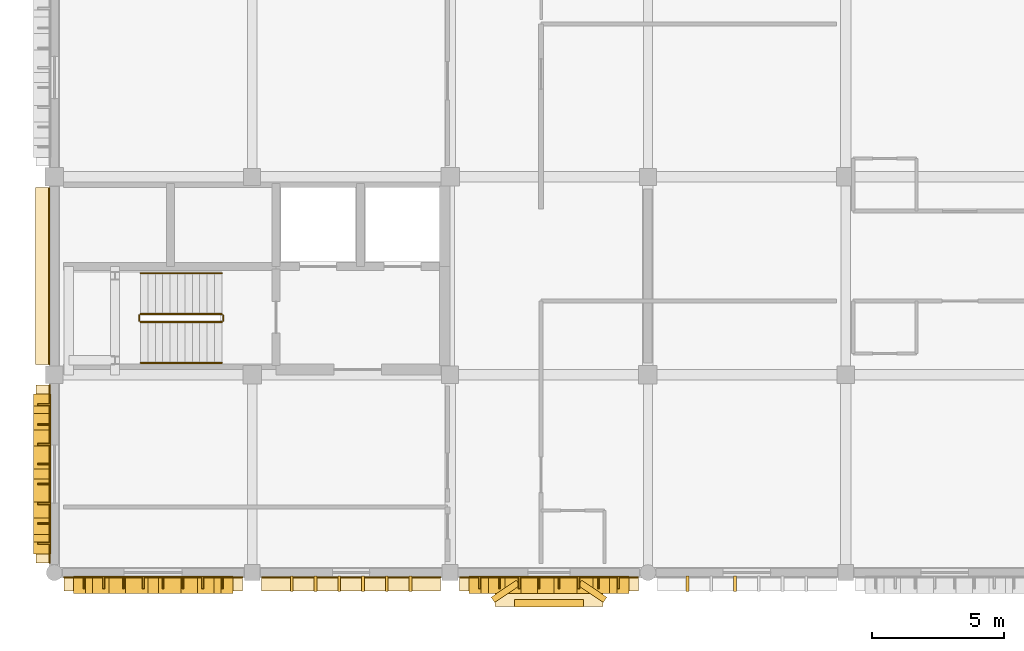
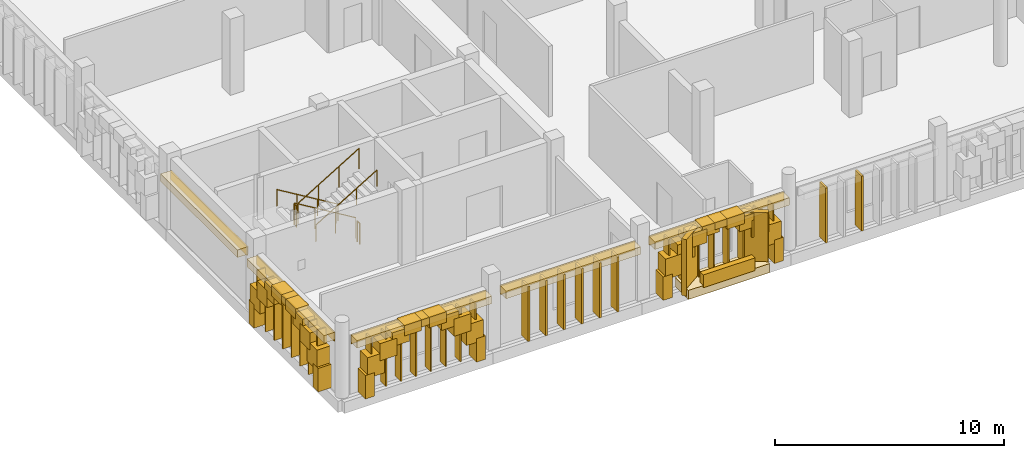
# One storey, part 30 of 48: 55 coverings, 24 shading devices, 6 railings.
"""IFC4 building model written with IfcOpenShell, lengths in metres."""

import ifcopenshell
import ifcopenshell.guid

model = None  # the IFC model being written
_history = None  # IfcOwnerHistory: only IFC2X3 demands one
_inside = {}  # id of a spatial element -> (the spatial element, [elements in it])
_under = {}  # id of a project, library or spatial element -> (it, [spatial elements below it])
_declared = {}  # id of a project -> (the project, [libraries it declares])
_typed = {}  # id of a type object -> (the type object, [elements of that type])
_made_of = {}  # id of a material, layer set ... -> (it, [elements and type objects made of it])


def new_model(schema):
    """Start an empty IFC model of exactly this schema.

    Asked for "IFC4X3", IfcOpenShell would pick the latest addendum, in which some entities
    have other attributes; the version numbers below select the first issue.
    IFC2X3 requires an IfcOwnerHistory on every rooted entity: one is made here for all.
    """
    global model, _history
    if schema == "IFC4X3":
        model = ifcopenshell.file(schema_version=(4, 3, 0, 0))
    else:
        model = ifcopenshell.file(schema=schema)
    _inside.clear()
    _under.clear()
    _declared.clear()
    _typed.clear()
    _made_of.clear()
    _history = None
    if model.schema == "IFC2X3":
        org = make("IfcOrganization", Name="unknown")
        user = make(
            "IfcPersonAndOrganization",
            ThePerson=make("IfcPerson", FamilyName="unknown"),
            TheOrganization=org,
        )
        app = make(
            "IfcApplication",
            ApplicationDeveloper=org,
            Version="unknown",
            ApplicationFullName="unknown",
            ApplicationIdentifier="unknown",
        )
        _history = make(
            "IfcOwnerHistory",
            OwningUser=user,
            OwningApplication=app,
            ChangeAction="ADDED",
            CreationDate=0,
        )
    return model


def make(cls, **values):
    """One entity of the class cls with the attributes given. An attribute that is None is left unset."""
    return model.create_entity(
        cls, **{name: value for name, value in values.items() if value is not None}
    )


def rooted(cls, **values):
    """An entity with a GlobalId (a new one), such as an element, a storey or a relation."""
    return make(cls, GlobalId=ifcopenshell.guid.new(), OwnerHistory=_history, **values)


def si_unit(unit_type, name, prefix=None):
    """IfcSIUnit, for example si_unit("LENGTHUNIT", "METRE", prefix="MILLI")."""
    return make("IfcSIUnit", UnitType=unit_type, Prefix=prefix, Name=name)


def assignment(units):
    """IfcUnitAssignment: the units of a project."""
    return None if units is None else make("IfcUnitAssignment", Units=units)


def point(xyz):
    """IfcCartesianPoint."""
    return None if xyz is None else make("IfcCartesianPoint", Coordinates=xyz)


def direction(xyz):
    """IfcDirection."""
    return None if xyz is None else make("IfcDirection", DirectionRatios=xyz)


def frame(location, z_axis=None, x_axis=None):
    """IfcAxis2Placement3D, a coordinate frame: its origin and axes. An axis left out is left unset."""
    return make(
        "IfcAxis2Placement3D",
        Location=point(location),
        Axis=direction(z_axis),
        RefDirection=direction(x_axis),
    )


def frame_2d(location, x_axis=None):
    """IfcAxis2Placement2D, a coordinate frame in the plane: its origin and x axis."""
    return make(
        "IfcAxis2Placement2D", Location=point(location), RefDirection=direction(x_axis)
    )


def origin():
    """The frame at (0, 0, 0) with its axes left unset."""
    return frame((0.0, 0.0, 0.0))


def origin_2d():
    """The frame at (0, 0) in the plane with its x axis left unset."""
    return frame_2d((0.0, 0.0))


def place(relative_to, where):
    """IfcLocalPlacement: puts the frame where relative to a parent placement (None: the world)."""
    return make(
        "IfcLocalPlacement", PlacementRelTo=relative_to, RelativePlacement=where
    )


def context(
    kind, dimensions, precision=None, world=None, true_north=None, identifier=None
):
    """IfcGeometricRepresentationContext, for example the 3D "Model" context."""
    return make(
        "IfcGeometricRepresentationContext",
        ContextIdentifier=identifier,
        ContextType=kind,
        CoordinateSpaceDimension=dimensions,
        Precision=precision,
        WorldCoordinateSystem=world,
        TrueNorth=true_north,
    )


def subcontext(parent, identifier, kind, view, scale=None):
    """IfcGeometricRepresentationSubContext, for example "Body" below "Model"."""
    return make(
        "IfcGeometricRepresentationSubContext",
        ContextIdentifier=identifier,
        ContextType=kind,
        ParentContext=parent,
        TargetScale=scale,
        TargetView=view,
    )


def project(units=None, contexts=None):
    """IfcProject with its units and contexts."""
    return rooted(
        "IfcProject",
        Name="project",
        RepresentationContexts=contexts,
        UnitsInContext=assignment(units),
    )


def spatial(cls, under=None, at=None, **own):
    """A site, building, storey or space (cls), placed at a placement, below another one or the project."""
    s = rooted(cls, ObjectPlacement=at, **own)
    if under is not None:
        _under.setdefault(under.id(), (under, []))[1].append(s)
    return s


def profile(cls, at=None, kind="AREA", **sizes):
    """A parametric profile (cls). Its sizes go by their IFC names, for example OverallWidth=200.0."""
    return make(cls, ProfileType=kind, Position=at, **sizes)


def rectangle(**sizes):
    """IfcRectangleProfileDef."""
    return profile("IfcRectangleProfileDef", **sizes)


def circle(**sizes):
    """IfcCircleProfileDef."""
    return profile("IfcCircleProfileDef", **sizes)


def extrude(swept, where, along, depth):
    """IfcExtrudedAreaSolid: the profile swept, set in the frame where, extruded along a direction by depth."""
    return make(
        "IfcExtrudedAreaSolid",
        SweptArea=swept,
        Position=where,
        ExtrudedDirection=direction(along),
        Depth=depth,
    )


def shape(context_of_items, identifier, shape_type, items):
    """IfcShapeRepresentation: the items that make up one representation, for example the "Body"."""
    return make(
        "IfcShapeRepresentation",
        ContextOfItems=context_of_items,
        RepresentationIdentifier=identifier,
        RepresentationType=shape_type,
        Items=items,
    )


def material(Name=None, Category=None):
    """IfcMaterial."""
    return make("IfcMaterial", Name=Name, Category=Category)


def layer(
    of_material, thickness, ventilated=None, Name=None, Category=None, Priority=None
):
    """IfcMaterialLayer: one layer of a wall or slab, of a material (None: an air gap)."""
    return make(
        "IfcMaterialLayer",
        Material=of_material,
        LayerThickness=thickness,
        IsVentilated=ventilated,
        Name=Name,
        Category=Category,
        Priority=Priority,
    )


def layer_set(layers, Name=None):
    """IfcMaterialLayerSet."""
    return make("IfcMaterialLayerSet", MaterialLayers=layers, LayerSetName=Name)


def made_of(thing, what):
    """Note that an element or type object is made of a material, layer set ...; save() writes the relation."""
    if what is not None:
        _made_of.setdefault(what.id(), (what, []))[1].append(thing)
    return thing


def type_object(cls, material=None, **own):
    """A type object (cls), such as IfcWallType, which elements share."""
    return made_of(rooted(cls, **own), material)


def element(
    cls,
    number,
    at=None,
    inside=None,
    cuts=None,
    type_object=None,
    material=None,
    context=None,
    identifier="Body",
    shape_type=None,
    held_by="IfcProductDefinitionShape",
    body=None,
    shapes=None,
    **own,
):
    """One element of the class cls, such as IfcWall. Its Tag is "e" and its number.

    at: its placement. inside: the storey or other place that contains it. cuts: it is an
    opening in that element (IfcRelVoidsElement). A single representation is given by context,
    identifier, shape_type and body (its items); several are given by shapes. held_by: the class
    of the entity that holds the representations. save() writes the other relations.
    """
    e = rooted(cls, Tag="e%d" % number, ObjectPlacement=at, **own)
    if body is not None:
        shapes = [shape(context, identifier, shape_type, body)]
    if shapes is not None:
        e.Representation = make(held_by, Representations=shapes)
    if inside is not None:
        _inside.setdefault(inside.id(), (inside, []))[1].append(e)
    if cuts is not None:
        rooted(
            "IfcRelVoidsElement", RelatingBuildingElement=cuts, RelatedOpeningElement=e
        )
    if type_object is not None:
        _typed.setdefault(type_object.id(), (type_object, []))[1].append(e)
    return made_of(e, material)


def aggregate(whole, parts):
    """IfcRelAggregates: a whole, such as a stair, and the parts it consists of."""
    return rooted("IfcRelAggregates", RelatingObject=whole, RelatedObjects=parts)


def save(model, path):
    """Write the relations noted so far, then the file.

    IfcRelAggregates (storeys below a building ...), IfcRelContainedInSpatialStructure (elements
    in a storey), IfcRelDefinesByType, IfcRelAssociatesMaterial and IfcRelDeclares: one each for
    every whole, place, type object, material and project.
    """
    for whole, parts in _under.values():
        aggregate(whole, parts)
    for where, things in _inside.values():
        rooted(
            "IfcRelContainedInSpatialStructure",
            RelatedElements=things,
            RelatingStructure=where,
        )
    for kind, things in _typed.values():
        rooted("IfcRelDefinesByType", RelatedObjects=things, RelatingType=kind)
    for what, things in _made_of.values():
        rooted("IfcRelAssociatesMaterial", RelatedObjects=things, RelatingMaterial=what)
    for by, libraries in _declared.values():
        rooted("IfcRelDeclares", RelatingContext=by, RelatedDefinitions=libraries)
    model.write(path)


model = new_model("IFC4")

# Units and contexts
model_context = context("Model", 3, precision=1e-05, world=origin(), true_north=direction((0.0, 1.0)))
body_context = subcontext(model_context, "Body", "Model", "MODEL_VIEW")
ifc_project = project(units=[si_unit("LENGTHUNIT", "METRE"), si_unit("AREAUNIT", "SQUARE_METRE"), si_unit("VOLUMEUNIT", "CUBIC_METRE"), si_unit("PLANEANGLEUNIT", "RADIAN"), si_unit("MASSUNIT", "GRAM", prefix="KILO")], contexts=[model_context])

# Site, building, storey
site_placement = place(None, origin())
site = spatial("IfcSite", under=ifc_project, at=site_placement, CompositionType="ELEMENT")
building_placement = place(site_placement, origin())
building = spatial("IfcBuilding", under=site, at=building_placement, Name="Dalvernix Boulevard General Hospital", CompositionType="ELEMENT")
storey_placement = place(building_placement, frame((0.0, 0.0, 17.85009765625)))
storey = spatial("IfcBuildingStorey", under=building, at=storey_placement, Name="L04", CompositionType="ELEMENT", Elevation=17.85009765625)

# Coverings
ifc_material_1 = material(Name="Pressed Catalan clay brick and dressed limestone parabolic archivolt", Category="masonry")
ifc_layer_1 = layer(ifc_material_1, 0.419921875)
ifc_layer_set_1 = layer_set([ifc_layer_1], Name="Pressed Catalan clay brick and dressed limestone parabolic archivolt (COV-ARC-01)")
covering_type_1 = type_object("IfcCoveringType", Name="COV-ARC-01", PredefinedType="CLADDING", material=ifc_layer_set_1)
for number, where, z_axis, x_axis, name in (
    (1, (6.550048828125, -0.4599609375, 0.0), (0.0, 0.0, 1.0), (-1.0, 0.0, 0.0), "L04 Catalan parabolic arch impost pier S 0-0-L"),
    (2, (0.949951171875, -0.4599609375, 0.0), (0.0, 0.0, 1.0), (-1.0, 0.0, 0.0), "L04 Catalan parabolic arch impost pier S 0-0-R"),
):
    element("IfcCovering", number, at=place(storey_placement, frame(where, z_axis=z_axis, x_axis=x_axis)), inside=storey, type_object=covering_type_1, Name=name, PredefinedType="CLADDING", context=body_context, shape_type="SweptSolid", body=[
        extrude(rectangle(XDim=0.4599609375, YDim=0.659912109375, at=origin_2d()), origin(), (0.0, 0.0, 1.0), 1.25),
    ])
covering_1_placement = place(storey_placement, frame((6.239013671875, -0.4599609375, 1.06005859375), z_axis=(0.0, 0.0, 1.0), x_axis=(-1.0, 0.0, 0.0)))
element("IfcCovering", 3, at=covering_1_placement, inside=storey, type_object=covering_type_1, Name="L04 Catalan parabolic archivolt voussoir S 0-0-1", PredefinedType="CLADDING", context=body_context, shape_type="SweptSolid", body=[
    extrude(rectangle(XDim=0.8623046875, YDim=0.659912109375, at=origin_2d()), origin(), (0.0, 0.0, 1.0), 1.091064453125),
])
covering_2_placement = place(storey_placement, frame((5.61669921875, -0.4599609375, 1.77099609375), z_axis=(0.0, 0.0, 1.0), x_axis=(-1.0, 0.0, 0.0)))
element("IfcCovering", 4, at=covering_2_placement, inside=storey, type_object=covering_type_1, Name="L04 Catalan parabolic archivolt voussoir S 0-0-2", PredefinedType="CLADDING", context=body_context, shape_type="SweptSolid", body=[
    extrude(rectangle(XDim=0.8623046875, YDim=0.659912109375, at=origin_2d()), origin(), (0.0, 0.0, 1.0), 0.913330078125),
])
covering_3_placement = place(storey_placement, frame((4.994384765625, -0.4599609375, 2.30419921875), z_axis=(0.0, 0.0, 1.0), x_axis=(-1.0, 0.0, 0.0)))
element("IfcCovering", 5, at=covering_3_placement, inside=storey, type_object=covering_type_1, Name="L04 Catalan parabolic archivolt voussoir S 0-0-3", PredefinedType="CLADDING", context=body_context, shape_type="SweptSolid", body=[
    extrude(rectangle(XDim=0.8623046875, YDim=0.659912109375, at=origin_2d()), origin(), (0.0, 0.0, 1.0), 0.735595703125),
])
covering_4_placement = place(storey_placement, frame((4.372314453125, -0.4599609375, 2.65966796875), z_axis=(0.0, 0.0, 1.0), x_axis=(-1.0, 0.0, 0.0)))
element("IfcCovering", 6, at=covering_4_placement, inside=storey, type_object=covering_type_1, Name="L04 Catalan parabolic archivolt voussoir S 0-0-4", PredefinedType="CLADDING", context=body_context, shape_type="SweptSolid", body=[
    extrude(rectangle(XDim=0.8623046875, YDim=0.659912109375, at=origin_2d()), origin(), (0.0, 0.0, 1.0), 0.557861328125),
])
covering_5_placement = place(storey_placement, frame((3.75, -0.4599609375, 2.837646484375), z_axis=(0.0, 0.0, 1.0), x_axis=(-1.0, 0.0, 0.0)))
element("IfcCovering", 7, at=covering_5_placement, inside=storey, type_object=covering_type_1, Name="L04 Catalan parabolic archivolt voussoir S 0-0-5", PredefinedType="CLADDING", context=body_context, shape_type="SweptSolid", body=[
    extrude(rectangle(XDim=0.8623046875, YDim=0.659912109375, at=origin_2d()), origin(), (0.0, 0.0, 1.0), 0.3798828125),
])
covering_6_placement = place(storey_placement, frame((3.127685546875, -0.4599609375, 2.65966796875), z_axis=(0.0, 0.0, 1.0), x_axis=(-1.0, 0.0, 0.0)))
element("IfcCovering", 8, at=covering_6_placement, inside=storey, type_object=covering_type_1, Name="L04 Catalan parabolic archivolt voussoir S 0-0-6", PredefinedType="CLADDING", context=body_context, shape_type="SweptSolid", body=[
    extrude(rectangle(XDim=0.8623046875, YDim=0.659912109375, at=origin_2d()), origin(), (0.0, 0.0, 1.0), 0.557861328125),
])
covering_7_placement = place(storey_placement, frame((2.505615234375, -0.4599609375, 2.30419921875), z_axis=(0.0, 0.0, 1.0), x_axis=(-1.0, 0.0, 0.0)))
element("IfcCovering", 9, at=covering_7_placement, inside=storey, type_object=covering_type_1, Name="L04 Catalan parabolic archivolt voussoir S 0-0-7", PredefinedType="CLADDING", context=body_context, shape_type="SweptSolid", body=[
    extrude(rectangle(XDim=0.8623046875, YDim=0.659912109375, at=origin_2d()), origin(), (0.0, 0.0, 1.0), 0.735595703125),
])
covering_8_placement = place(storey_placement, frame((1.88330078125, -0.4599609375, 1.77099609375), z_axis=(0.0, 0.0, 1.0), x_axis=(-1.0, 0.0, 0.0)))
element("IfcCovering", 10, at=covering_8_placement, inside=storey, type_object=covering_type_1, Name="L04 Catalan parabolic archivolt voussoir S 0-0-8", PredefinedType="CLADDING", context=body_context, shape_type="SweptSolid", body=[
    extrude(rectangle(XDim=0.8623046875, YDim=0.659912109375, at=origin_2d()), origin(), (0.0, 0.0, 1.0), 0.913330078125),
])
covering_9_placement = place(storey_placement, frame((1.260986328125, -0.4599609375, 1.06005859375), z_axis=(0.0, 0.0, 1.0), x_axis=(-1.0, 0.0, 0.0)))
element("IfcCovering", 11, at=covering_9_placement, inside=storey, type_object=covering_type_1, Name="L04 Catalan parabolic archivolt voussoir S 0-0-9", PredefinedType="CLADDING", context=body_context, shape_type="SweptSolid", body=[
    extrude(rectangle(XDim=0.8623046875, YDim=0.659912109375, at=origin_2d()), origin(), (0.0, 0.0, 1.0), 1.091064453125),
])
for number, where, z_axis, x_axis, name in (
    (12, (-0.4599609375, 0.9375, 0.0), (0.0, 0.0, 1.0), (0.0, 1.0, 0.0), "L04 Catalan parabolic arch impost pier W 0-0-L"),
    (13, (-0.4599609375, 6.53759765625, 0.0), (0.0, 0.0, 1.0), (0.0, 1.0, 0.0), "L04 Catalan parabolic arch impost pier W 0-0-R"),
):
    element("IfcCovering", number, at=place(storey_placement, frame(where, z_axis=z_axis, x_axis=x_axis)), inside=storey, type_object=covering_type_1, Name=name, PredefinedType="CLADDING", context=body_context, shape_type="SweptSolid", body=[
        extrude(rectangle(XDim=0.4599609375, YDim=0.659912109375, at=origin_2d()), origin(), (0.0, 0.0, 1.0), 1.25),
    ])
covering_10_placement = place(storey_placement, frame((-0.4599609375, 1.24853515625, 1.06005859375), z_axis=(0.0, 0.0, 1.0), x_axis=(0.0, 1.0, 0.0)))
element("IfcCovering", 14, at=covering_10_placement, inside=storey, type_object=covering_type_1, Name="L04 Catalan parabolic archivolt voussoir W 0-0-1", PredefinedType="CLADDING", context=body_context, shape_type="SweptSolid", body=[
    extrude(rectangle(XDim=0.8623046875, YDim=0.659912109375, at=origin_2d()), origin(), (0.0, 0.0, 1.0), 1.091064453125),
])
covering_11_placement = place(storey_placement, frame((-0.4599609375, 1.870849609375, 1.77099609375), z_axis=(0.0, 0.0, 1.0), x_axis=(0.0, 1.0, 0.0)))
element("IfcCovering", 15, at=covering_11_placement, inside=storey, type_object=covering_type_1, Name="L04 Catalan parabolic archivolt voussoir W 0-0-2", PredefinedType="CLADDING", context=body_context, shape_type="SweptSolid", body=[
    extrude(rectangle(XDim=0.8623046875, YDim=0.659912109375, at=origin_2d()), origin(), (0.0, 0.0, 1.0), 0.913330078125),
])
covering_12_placement = place(storey_placement, frame((-0.4599609375, 2.4931640625, 2.30419921875), z_axis=(0.0, 0.0, 1.0), x_axis=(0.0, 1.0, 0.0)))
element("IfcCovering", 16, at=covering_12_placement, inside=storey, type_object=covering_type_1, Name="L04 Catalan parabolic archivolt voussoir W 0-0-3", PredefinedType="CLADDING", context=body_context, shape_type="SweptSolid", body=[
    extrude(rectangle(XDim=0.8623046875, YDim=0.659912109375, at=origin_2d()), origin(), (0.0, 0.0, 1.0), 0.735595703125),
])
covering_13_placement = place(storey_placement, frame((-0.4599609375, 3.115234375, 2.65966796875), z_axis=(0.0, 0.0, 1.0), x_axis=(0.0, 1.0, 0.0)))
element("IfcCovering", 17, at=covering_13_placement, inside=storey, type_object=covering_type_1, Name="L04 Catalan parabolic archivolt voussoir W 0-0-4", PredefinedType="CLADDING", context=body_context, shape_type="SweptSolid", body=[
    extrude(rectangle(XDim=0.8623046875, YDim=0.659912109375, at=origin_2d()), origin(), (0.0, 0.0, 1.0), 0.557861328125),
])
covering_14_placement = place(storey_placement, frame((-0.4599609375, 3.737548828125, 2.837646484375), z_axis=(0.0, 0.0, 1.0), x_axis=(0.0, 1.0, 0.0)))
element("IfcCovering", 18, at=covering_14_placement, inside=storey, type_object=covering_type_1, Name="L04 Catalan parabolic archivolt voussoir W 0-0-5", PredefinedType="CLADDING", context=body_context, shape_type="SweptSolid", body=[
    extrude(rectangle(XDim=0.8623046875, YDim=0.659912109375, at=origin_2d()), origin(), (0.0, 0.0, 1.0), 0.3798828125),
])
covering_15_placement = place(storey_placement, frame((-0.4599609375, 4.359619140625, 2.65966796875), z_axis=(0.0, 0.0, 1.0), x_axis=(0.0, 1.0, 0.0)))
element("IfcCovering", 19, at=covering_15_placement, inside=storey, type_object=covering_type_1, Name="L04 Catalan parabolic archivolt voussoir W 0-0-6", PredefinedType="CLADDING", context=body_context, shape_type="SweptSolid", body=[
    extrude(rectangle(XDim=0.8623046875, YDim=0.659912109375, at=origin_2d()), origin(), (0.0, 0.0, 1.0), 0.557861328125),
])
covering_16_placement = place(storey_placement, frame((-0.4599609375, 4.98193359375, 2.30419921875), z_axis=(0.0, 0.0, 1.0), x_axis=(0.0, 1.0, 0.0)))
element("IfcCovering", 20, at=covering_16_placement, inside=storey, type_object=covering_type_1, Name="L04 Catalan parabolic archivolt voussoir W 0-0-7", PredefinedType="CLADDING", context=body_context, shape_type="SweptSolid", body=[
    extrude(rectangle(XDim=0.8623046875, YDim=0.659912109375, at=origin_2d()), origin(), (0.0, 0.0, 1.0), 0.735595703125),
])
covering_17_placement = place(storey_placement, frame((-0.4599609375, 5.604248046875, 1.77099609375), z_axis=(0.0, 0.0, 1.0), x_axis=(0.0, 1.0, 0.0)))
element("IfcCovering", 21, at=covering_17_placement, inside=storey, type_object=covering_type_1, Name="L04 Catalan parabolic archivolt voussoir W 0-0-8", PredefinedType="CLADDING", context=body_context, shape_type="SweptSolid", body=[
    extrude(rectangle(XDim=0.8623046875, YDim=0.659912109375, at=origin_2d()), origin(), (0.0, 0.0, 1.0), 0.913330078125),
])
covering_18_placement = place(storey_placement, frame((-0.4599609375, 6.226318359375, 1.06005859375), z_axis=(0.0, 0.0, 1.0), x_axis=(0.0, 1.0, 0.0)))
element("IfcCovering", 22, at=covering_18_placement, inside=storey, type_object=covering_type_1, Name="L04 Catalan parabolic archivolt voussoir W 0-0-9", PredefinedType="CLADDING", context=body_context, shape_type="SweptSolid", body=[
    extrude(rectangle(XDim=0.8623046875, YDim=0.659912109375, at=origin_2d()), origin(), (0.0, 0.0, 1.0), 1.091064453125),
])
for number, where, z_axis, x_axis, name in (
    (23, (21.550048828125, -0.4599609375, 0.0), (0.0, 0.0, 1.0), (-1.0, 0.0, 0.0), "L04 Catalan parabolic arch impost pier S 2-0-L"),
    (24, (15.949951171875, -0.4599609375, 0.0), (0.0, 0.0, 1.0), (-1.0, 0.0, 0.0), "L04 Catalan parabolic arch impost pier S 2-0-R"),
):
    element("IfcCovering", number, at=place(storey_placement, frame(where, z_axis=z_axis, x_axis=x_axis)), inside=storey, type_object=covering_type_1, Name=name, PredefinedType="CLADDING", context=body_context, shape_type="SweptSolid", body=[
        extrude(rectangle(XDim=0.4599609375, YDim=0.659912109375, at=origin_2d()), origin(), (0.0, 0.0, 1.0), 1.25),
    ])
covering_19_placement = place(storey_placement, frame((21.239013671875, -0.4599609375, 1.06005859375), z_axis=(0.0, 0.0, 1.0), x_axis=(-1.0, 0.0, 0.0)))
element("IfcCovering", 25, at=covering_19_placement, inside=storey, type_object=covering_type_1, Name="L04 Catalan parabolic archivolt voussoir S 2-0-1", PredefinedType="CLADDING", context=body_context, shape_type="SweptSolid", body=[
    extrude(rectangle(XDim=0.8623046875, YDim=0.659912109375, at=origin_2d()), origin(), (0.0, 0.0, 1.0), 1.091064453125),
])
covering_20_placement = place(storey_placement, frame((20.61669921875, -0.4599609375, 1.77099609375), z_axis=(0.0, 0.0, 1.0), x_axis=(-1.0, 0.0, 0.0)))
element("IfcCovering", 26, at=covering_20_placement, inside=storey, type_object=covering_type_1, Name="L04 Catalan parabolic archivolt voussoir S 2-0-2", PredefinedType="CLADDING", context=body_context, shape_type="SweptSolid", body=[
    extrude(rectangle(XDim=0.8623046875, YDim=0.659912109375, at=origin_2d()), origin(), (0.0, 0.0, 1.0), 0.913330078125),
])
covering_21_placement = place(storey_placement, frame((19.994384765625, -0.4599609375, 2.30419921875), z_axis=(0.0, 0.0, 1.0), x_axis=(-1.0, 0.0, 0.0)))
element("IfcCovering", 27, at=covering_21_placement, inside=storey, type_object=covering_type_1, Name="L04 Catalan parabolic archivolt voussoir S 2-0-3", PredefinedType="CLADDING", context=body_context, shape_type="SweptSolid", body=[
    extrude(rectangle(XDim=0.8623046875, YDim=0.659912109375, at=origin_2d()), origin(), (0.0, 0.0, 1.0), 0.735595703125),
])
covering_22_placement = place(storey_placement, frame((19.372314453125, -0.4599609375, 2.65966796875), z_axis=(0.0, 0.0, 1.0), x_axis=(-1.0, 0.0, 0.0)))
element("IfcCovering", 28, at=covering_22_placement, inside=storey, type_object=covering_type_1, Name="L04 Catalan parabolic archivolt voussoir S 2-0-4", PredefinedType="CLADDING", context=body_context, shape_type="SweptSolid", body=[
    extrude(rectangle(XDim=0.8623046875, YDim=0.659912109375, at=origin_2d()), origin(), (0.0, 0.0, 1.0), 0.557861328125),
])
covering_23_placement = place(storey_placement, frame((18.75, -0.4599609375, 2.837646484375), z_axis=(0.0, 0.0, 1.0), x_axis=(-1.0, 0.0, 0.0)))
element("IfcCovering", 29, at=covering_23_placement, inside=storey, type_object=covering_type_1, Name="L04 Catalan parabolic archivolt voussoir S 2-0-5", PredefinedType="CLADDING", context=body_context, shape_type="SweptSolid", body=[
    extrude(rectangle(XDim=0.8623046875, YDim=0.659912109375, at=origin_2d()), origin(), (0.0, 0.0, 1.0), 0.3798828125),
])
covering_24_placement = place(storey_placement, frame((18.127685546875, -0.4599609375, 2.65966796875), z_axis=(0.0, 0.0, 1.0), x_axis=(-1.0, 0.0, 0.0)))
element("IfcCovering", 30, at=covering_24_placement, inside=storey, type_object=covering_type_1, Name="L04 Catalan parabolic archivolt voussoir S 2-0-6", PredefinedType="CLADDING", context=body_context, shape_type="SweptSolid", body=[
    extrude(rectangle(XDim=0.8623046875, YDim=0.659912109375, at=origin_2d()), origin(), (0.0, 0.0, 1.0), 0.557861328125),
])
covering_25_placement = place(storey_placement, frame((17.505615234375, -0.4599609375, 2.30419921875), z_axis=(0.0, 0.0, 1.0), x_axis=(-1.0, 0.0, 0.0)))
element("IfcCovering", 31, at=covering_25_placement, inside=storey, type_object=covering_type_1, Name="L04 Catalan parabolic archivolt voussoir S 2-0-7", PredefinedType="CLADDING", context=body_context, shape_type="SweptSolid", body=[
    extrude(rectangle(XDim=0.8623046875, YDim=0.659912109375, at=origin_2d()), origin(), (0.0, 0.0, 1.0), 0.735595703125),
])
covering_26_placement = place(storey_placement, frame((16.88330078125, -0.4599609375, 1.77099609375), z_axis=(0.0, 0.0, 1.0), x_axis=(-1.0, 0.0, 0.0)))
element("IfcCovering", 32, at=covering_26_placement, inside=storey, type_object=covering_type_1, Name="L04 Catalan parabolic archivolt voussoir S 2-0-8", PredefinedType="CLADDING", context=body_context, shape_type="SweptSolid", body=[
    extrude(rectangle(XDim=0.8623046875, YDim=0.659912109375, at=origin_2d()), origin(), (0.0, 0.0, 1.0), 0.913330078125),
])
covering_27_placement = place(storey_placement, frame((16.260986328125, -0.4599609375, 1.06005859375), z_axis=(0.0, 0.0, 1.0), x_axis=(-1.0, 0.0, 0.0)))
element("IfcCovering", 33, at=covering_27_placement, inside=storey, type_object=covering_type_1, Name="L04 Catalan parabolic archivolt voussoir S 2-0-9", PredefinedType="CLADDING", context=body_context, shape_type="SweptSolid", body=[
    extrude(rectangle(XDim=0.8623046875, YDim=0.659912109375, at=origin_2d()), origin(), (0.0, 0.0, 1.0), 1.091064453125),
])
ifc_material_2 = material(Name="Polychrome glazed Catalan trencadis ceramic faceted bay spandrel")
ifc_layer_2 = layer(ifc_material_2, 0.280029296875)
ifc_layer_set_2 = layer_set([ifc_layer_2], Name="Polychrome glazed Catalan trencadis ceramic faceted bay spandrel (COV-BAY-01)")
covering_type_2 = type_object("IfcCoveringType", Name="COV-BAY-01", PredefinedType="CLADDING", material=ifc_layer_set_2)
covering_28_placement = place(storey_placement, frame((18.75, -1.159912109375, 0.3798828125), z_axis=(0.0, 0.0, 1.0), x_axis=(-1.0, 0.0, 0.0)))
element("IfcCovering", 34, at=covering_28_placement, inside=storey, type_object=covering_type_2, Name="L04 projecting faceted trencadis bay spandrel S 2-0", PredefinedType="CLADDING", context=body_context, shape_type="SweptSolid", body=[
    extrude(rectangle(XDim=2.60009765625, YDim=0.280029296875, at=origin_2d()), origin(), (0.0, 0.0, 1.0), 0.679931640625),
])
for number, where, z_axis, x_axis, name in (
    (35, (20.39990234375, -0.7099609375, 0.080078125), (0.0, 0.0, 1.0), (-0.829037572555, 0.559192903471, 0.0), "L04 projecting faceted Catalan bay cheek S 2-0-L"),
    (36, (17.10009765625, -0.7099609375, 0.080078125), (0.0, 0.0, 1.0), (-0.829037572555, -0.559192903471, 0.0), "L04 projecting faceted Catalan bay cheek S 2-0-R"),
):
    element("IfcCovering", number, at=place(storey_placement, frame(where, z_axis=z_axis, x_axis=x_axis)), inside=storey, type_object=covering_type_2, Name=name, PredefinedType="CLADDING", context=body_context, shape_type="SweptSolid", body=[
        extrude(rectangle(XDim=1.14990234375, YDim=0.239990234375, at=origin_2d()), origin(), (0.0, 0.0, 1.0), 3.010009765625),
    ])
ifc_material_3 = material(Name="Polychrome Catalan glazed ceramic spandrel tile panel")
ifc_layer_3 = layer(ifc_material_3, 0.044921875)
ifc_layer_set_3 = layer_set([ifc_layer_3], Name="Polychrome Catalan glazed ceramic spandrel tile panel (COV-CLD-01)")
covering_type_3 = type_object("IfcCoveringType", Name="COV-CLD-01", PredefinedType="CLADDING", material=ifc_layer_set_3)
covering_29_placement = place(storey_placement, frame((3.75, -0.169921875, 2.69482421875), z_axis=(0.0, 0.0, 1.0), x_axis=(-1.0, 0.0, 0.0)))
element("IfcCovering", 37, at=covering_29_placement, inside=storey, type_object=covering_type_3, Name="L04 polychrome ceramic spandrel S 0-0", PredefinedType="CLADDING", context=body_context, shape_type="SweptSolid", body=[
    extrude(rectangle(XDim=6.780029296875, YDim=0.044921875, at=origin_2d()), origin(), (0.0, 0.0, 1.0), 0.449951171875),
])
covering_30_placement = place(storey_placement, frame((-0.169921875, 3.737548828125, 2.69482421875), z_axis=(0.0, 0.0, 1.0), x_axis=(0.0, 1.0, 0.0)))
element("IfcCovering", 38, at=covering_30_placement, inside=storey, type_object=covering_type_3, Name="L04 polychrome ceramic spandrel W 0-0", PredefinedType="CLADDING", context=body_context, shape_type="SweptSolid", body=[
    extrude(rectangle(XDim=6.7548828125, YDim=0.044921875, at=origin_2d()), origin(), (0.0, 0.0, 1.0), 0.449951171875),
])
covering_31_placement = place(storey_placement, frame((-0.195068359375, 11.237548828125, 2.69482421875), z_axis=(0.0, 0.0, 1.0), x_axis=(0.0, 1.0, 0.0)))
element("IfcCovering", 39, at=covering_31_placement, inside=storey, type_object=covering_type_3, Name="L04 polychrome ceramic spandrel W 0-1", PredefinedType="CLADDING", context=body_context, shape_type="SweptSolid", body=[
    extrude(rectangle(XDim=6.705078125, YDim=0.044921875, at=origin_2d()), origin(), (0.0, 0.0, 1.0), 0.449951171875),
])
for number, where, z_axis, x_axis, name in (
    (40, (11.25, -0.169921875, 2.69482421875), (0.0, 0.0, 1.0), (-1.0, 0.0, 0.0), "L04 polychrome ceramic spandrel S 1-0"),
    (41, (18.75, -0.169921875, 2.69482421875), (0.0, 0.0, 1.0), (-1.0, 0.0, 0.0), "L04 polychrome ceramic spandrel S 2-0"),
):
    element("IfcCovering", number, at=place(storey_placement, frame(where, z_axis=z_axis, x_axis=x_axis)), inside=storey, type_object=covering_type_3, Name=name, PredefinedType="CLADDING", context=body_context, shape_type="SweptSolid", body=[
        extrude(rectangle(XDim=6.780029296875, YDim=0.044921875, at=origin_2d()), origin(), (0.0, 0.0, 1.0), 0.449951171875),
    ])
ifc_material_4 = material(Name="Dressed ochre limestone classical plinth, stringcourse and corbelled cornice", Category="masonry")
ifc_layer_4 = layer(ifc_material_4, 0.449951171875)
ifc_layer_set_4 = layer_set([ifc_layer_4], Name="Dressed ochre limestone classical plinth, stringcourse and corbelled cornice (COV-CRN-01)")
covering_type_4 = type_object("IfcCoveringType", Name="COV-CRN-01", PredefinedType="CLADDING", material=ifc_layer_set_4)
covering_32_placement = place(storey_placement, frame((3.75, -0.409912109375, 2.77001953125), z_axis=(0.0, 0.0, 1.0), x_axis=(-1.0, 0.0, 0.0)))
element("IfcCovering", 42, at=covering_32_placement, inside=storey, type_object=covering_type_4, Name="L04 classical corbelled cornice frieze S 0-0", PredefinedType="CLADDING", context=body_context, shape_type="SweptSolid", body=[
    extrude(rectangle(XDim=6.780029296875, YDim=0.56005859375, at=origin_2d()), origin(), (0.0, 0.0, 1.0), 0.39990234375),
])
covering_33_placement = place(storey_placement, frame((-0.409912109375, 3.737548828125, 2.77001953125), z_axis=(0.0, 0.0, 1.0), x_axis=(0.0, 1.0, 0.0)))
element("IfcCovering", 43, at=covering_33_placement, inside=storey, type_object=covering_type_4, Name="L04 classical corbelled cornice frieze W 0-0", PredefinedType="CLADDING", context=body_context, shape_type="SweptSolid", body=[
    extrude(rectangle(XDim=6.7548828125, YDim=0.56005859375, at=origin_2d()), origin(), (0.0, 0.0, 1.0), 0.39990234375),
])
covering_34_placement = place(storey_placement, frame((-0.43505859375, 11.237548828125, 2.77001953125), z_axis=(0.0, 0.0, 1.0), x_axis=(0.0, 1.0, 0.0)))
element("IfcCovering", 44, at=covering_34_placement, inside=storey, type_object=covering_type_4, Name="L04 classical corbelled cornice frieze W 0-1", PredefinedType="CLADDING", context=body_context, shape_type="SweptSolid", body=[
    extrude(rectangle(XDim=6.705078125, YDim=0.56005859375, at=origin_2d()), origin(), (0.0, 0.0, 1.0), 0.39990234375),
])
for number, where, z_axis, x_axis, name in (
    (45, (11.25, -0.409912109375, 2.77001953125), (0.0, 0.0, 1.0), (-1.0, 0.0, 0.0), "L04 classical corbelled cornice frieze S 1-0"),
    (46, (18.75, -0.409912109375, 2.77001953125), (0.0, 0.0, 1.0), (-1.0, 0.0, 0.0), "L04 classical corbelled cornice frieze S 2-0"),
):
    element("IfcCovering", number, at=place(storey_placement, frame(where, z_axis=z_axis, x_axis=x_axis)), inside=storey, type_object=covering_type_4, Name=name, PredefinedType="CLADDING", context=body_context, shape_type="SweptSolid", body=[
        extrude(rectangle(XDim=6.780029296875, YDim=0.56005859375, at=origin_2d()), origin(), (0.0, 0.0, 1.0), 0.39990234375),
    ])
covering_35_placement = place(storey_placement, frame((18.75, -0.705078125, 0.0), z_axis=(0.0, 0.0, 1.0), x_axis=(-1.0, 0.0, 0.0)))
element("IfcCovering", 47, at=covering_35_placement, inside=storey, type_object=covering_type_4, Name="L04 projecting Catalan bay corbel base S 2-0", PredefinedType="CLADDING", context=body_context, shape_type="SweptSolid", body=[
    extrude(rectangle(XDim=4.10009765625, YDim=1.14990234375, at=origin_2d()), origin(), (0.0, 0.0, 1.0), 0.47998046875),
])
ifc_material_5 = material(Name="Terracotta-clad iroko timber brise-soleil sun-breaker fin", Category="masonry")
ifc_layer_5 = layer(ifc_material_5, 0.10009765625)
ifc_layer_set_5 = layer_set([ifc_layer_5], Name="Terracotta-clad iroko timber brise-soleil sun-breaker fin (COV-FIN-02)")
covering_type_5 = type_object("IfcCoveringType", Name="COV-FIN-02", PredefinedType="CLADDING", material=ifc_layer_set_5)
for number, where, z_axis, x_axis, name in (
    (48, (13.5, -0.419921875, 0.1201171875), (0.0, 0.0, 1.0), (-1.0, 0.0, 0.0), "L04 terracotta brise-soleil fin S 1-0-1"),
    (49, (12.60009765625, -0.419921875, 0.1201171875), (0.0, 0.0, 1.0), (-1.0, 0.0, 0.0), "L04 terracotta brise-soleil fin S 1-0-2"),
    (50, (11.699951171875, -0.419921875, 0.1201171875), (0.0, 0.0, 1.0), (-1.0, 0.0, 0.0), "L04 terracotta brise-soleil fin S 1-0-3"),
    (51, (10.800048828125, -0.419921875, 0.1201171875), (0.0, 0.0, 1.0), (-1.0, 0.0, 0.0), "L04 terracotta brise-soleil fin S 1-0-4"),
    (52, (9.89990234375, -0.419921875, 0.1201171875), (0.0, 0.0, 1.0), (-1.0, 0.0, 0.0), "L04 terracotta brise-soleil fin S 1-0-5"),
    (53, (9.0, -0.419921875, 0.1201171875), (0.0, 0.0, 1.0), (-1.0, 0.0, 0.0), "L04 terracotta brise-soleil fin S 1-0-6"),
    (54, (25.800048828125, -0.419921875, 0.1201171875), (0.0, 0.0, 1.0), (-1.0, 0.0, 0.0), "L04 terracotta brise-soleil fin S 3-0-4"),
    (55, (24.0, -0.419921875, 0.1201171875), (0.0, 0.0, 1.0), (-1.0, 0.0, 0.0), "L04 terracotta brise-soleil fin S 3-0-6"),
):
    element("IfcCovering", number, at=place(storey_placement, frame(where, z_axis=z_axis, x_axis=x_axis)), inside=storey, type_object=covering_type_5, Name=name, PredefinedType="CLADDING", context=body_context, shape_type="SweptSolid", body=[
        extrude(rectangle(XDim=0.10009765625, YDim=0.580078125, at=origin_2d()), origin(), (0.0, 0.0, 1.0), 2.929931640625),
    ])

# Railings
ifc_material_6 = material(Name="Brushed stainless steel balustrade", Category="steel")
railing_type_1 = type_object("IfcRailingType", Name="RL-GR-INT1", PredefinedType="BALUSTRADE", material=ifc_material_6)
railing_1_placement = place(storey_placement, frame((6.35009765625, 9.800048828125, 0.168701171875)))
element("IfcRailing", 56, at=railing_1_placement, inside=storey, type_object=railing_type_1, Name="L04 ST-01 stair guard 1", PredefinedType="BALUSTRADE", context=body_context, shape_type="SweptSolid", body=[
    extrude(circle(Radius=0.02392578125, at=origin_2d()), frame((0.0, 0.0, 1.09619140625), z_axis=(-0.856490936558, 0.0, 0.516162063304), x_axis=(0.0, -1.0, 0.0)), (0.0, 0.0, 1.0), 3.59619140625),
    extrude(circle(Radius=0.02099609375, at=origin_2d()), origin(), (0.0, 0.0, 1.0), 1.072021484375),
    extrude(circle(Radius=0.02099609375, at=origin_2d()), frame((-1.026611328125, 0.0, 0.61865234375)), (0.0, 0.0, 1.0), 1.072021484375),
    extrude(circle(Radius=0.02099609375, at=origin_2d()), frame((-2.053466796875, 0.0, 1.237548828125)), (0.0, 0.0, 1.0), 1.072021484375),
    extrude(circle(Radius=0.02099609375, at=origin_2d()), frame((-3.080078125, 0.0, 1.856201171875)), (0.0, 0.0, 1.0), 1.072021484375),
])
railing_2_placement = place(storey_placement, frame((3.219970703125, 9.75, 2.02490234375)))
element("IfcRailing", 57, at=railing_2_placement, inside=storey, type_object=railing_type_1, Name="L04 ST-01 stair guard 2", PredefinedType="BALUSTRADE", context=body_context, shape_type="SweptSolid", body=[
    extrude(circle(Radius=0.02392578125, at=origin_2d()), frame((0.0, 0.0, 1.09619140625), z_axis=(0.0, -1.0, 0.0), x_axis=(1.0, 0.0, 0.0)), (0.0, 0.0, 1.0), 0.199951171875),
    extrude(circle(Radius=0.02099609375, at=origin_2d()), origin(), (0.0, 0.0, 1.0), 1.072021484375),
    extrude(circle(Radius=0.02099609375, at=origin_2d()), frame((0.0, -0.199951171875, 0.0)), (0.0, 0.0, 1.0), 1.072021484375),
])
railing_3_placement = place(storey_placement, frame((3.27001953125, 9.5, 2.193603515625)))
element("IfcRailing", 58, at=railing_3_placement, inside=storey, type_object=railing_type_1, Name="L04 ST-01 stair guard 3", PredefinedType="BALUSTRADE", context=body_context, shape_type="SweptSolid", body=[
    extrude(circle(Radius=0.02392578125, at=origin_2d()), frame((0.0, 0.0, 1.09619140625), z_axis=(0.856490936558, 0.0, 0.516162063304), x_axis=(0.0, 1.0, 0.0)), (0.0, 0.0, 1.0), 3.59619140625),
    extrude(circle(Radius=0.02099609375, at=origin_2d()), origin(), (0.0, 0.0, 1.0), 1.072021484375),
    extrude(circle(Radius=0.02099609375, at=origin_2d()), frame((1.026611328125, 0.0, 0.61865234375)), (0.0, 0.0, 1.0), 1.072021484375),
    extrude(circle(Radius=0.02099609375, at=origin_2d()), frame((2.053466796875, 0.0, 1.237548828125)), (0.0, 0.0, 1.0), 1.072021484375),
    extrude(circle(Radius=0.02099609375, at=origin_2d()), frame((3.080078125, 0.0, 1.856201171875)), (0.0, 0.0, 1.0), 1.072021484375),
])
railing_4_placement = place(storey_placement, frame((6.39990234375, 9.75, 0.0)))
element("IfcRailing", 59, at=railing_4_placement, inside=storey, type_object=railing_type_1, Name="L04 ST-01 stair guard 4", PredefinedType="BALUSTRADE", context=body_context, shape_type="SweptSolid", body=[
    extrude(circle(Radius=0.02392578125, at=origin_2d()), frame((0.0, 0.0, 1.09619140625), z_axis=(0.0, -1.0, 0.0), x_axis=(1.0, 0.0, 0.0)), (0.0, 0.0, 1.0), 0.199951171875),
    extrude(circle(Radius=0.02099609375, at=origin_2d()), origin(), (0.0, 0.0, 1.0), 1.072021484375),
    extrude(circle(Radius=0.02099609375, at=origin_2d()), frame((0.0, -0.199951171875, 0.0)), (0.0, 0.0, 1.0), 1.072021484375),
])
ifc_material_7 = material(Name="Brushed stainless steel wall handrail", Category="steel")
railing_type_2 = type_object("IfcRailingType", Name="RL-HR-INT1", PredefinedType="HANDRAIL", material=ifc_material_7)
railing_5_placement = place(storey_placement, frame((6.35009765625, 11.35009765625, 0.168701171875)))
element("IfcRailing", 60, at=railing_5_placement, inside=storey, type_object=railing_type_2, Name="L04 ST-01 stair handrail 1", PredefinedType="HANDRAIL", context=body_context, shape_type="SweptSolid", body=[
    extrude(circle(Radius=0.02392578125, at=origin_2d()), frame((0.0, 0.0, 0.8759765625), z_axis=(-0.856490936558, 0.0, 0.516162063304), x_axis=(0.0, -1.0, 0.0)), (0.0, 0.0, 1.0), 3.59619140625),
    extrude(circle(Radius=0.02099609375, at=origin_2d()), origin(), (0.0, 0.0, 1.0), 0.851806640625),
    extrude(circle(Radius=0.02099609375, at=origin_2d()), frame((-1.026611328125, 0.0, 0.61865234375)), (0.0, 0.0, 1.0), 0.851806640625),
    extrude(circle(Radius=0.02099609375, at=origin_2d()), frame((-2.053466796875, 0.0, 1.237548828125)), (0.0, 0.0, 1.0), 0.851806640625),
    extrude(circle(Radius=0.02099609375, at=origin_2d()), frame((-3.080078125, 0.0, 1.856201171875)), (0.0, 0.0, 1.0), 0.851806640625),
])
railing_6_placement = place(storey_placement, frame((3.27001953125, 7.949951171875, 2.193603515625)))
element("IfcRailing", 61, at=railing_6_placement, inside=storey, type_object=railing_type_2, Name="L04 ST-01 stair handrail 2", PredefinedType="HANDRAIL", context=body_context, shape_type="SweptSolid", body=[
    extrude(circle(Radius=0.02392578125, at=origin_2d()), frame((0.0, 0.0, 0.8759765625), z_axis=(0.856490936558, 0.0, 0.516162063304), x_axis=(0.0, 1.0, 0.0)), (0.0, 0.0, 1.0), 3.59619140625),
    extrude(circle(Radius=0.02099609375, at=origin_2d()), origin(), (0.0, 0.0, 1.0), 0.851806640625),
    extrude(circle(Radius=0.02099609375, at=origin_2d()), frame((1.026611328125, 0.0, 0.61865234375)), (0.0, 0.0, 1.0), 0.851806640625),
    extrude(circle(Radius=0.02099609375, at=origin_2d()), frame((2.053466796875, 0.0, 1.237548828125)), (0.0, 0.0, 1.0), 0.851806640625),
    extrude(circle(Radius=0.02099609375, at=origin_2d()), frame((3.080078125, 0.0, 1.856201171875)), (0.0, 0.0, 1.0), 0.851806640625),
])

# Shading devices
ifc_material_8 = material(Name="Preservative-treated West African iroko timber", Category="wood")
shading_device_type = type_object("IfcShadingDeviceType", Name="SHD-FIN-01", PredefinedType="USERDEFINED", material=ifc_material_8)
for number, where, z_axis, x_axis, name in (
    (62, (6.375, -0.3798828125, 0.1748046875), (0.0, 0.0, 1.0), (-1.0, 0.0, 0.0), "L04 iroko brise-soleil fin 1"),
    (63, (5.625, -0.3798828125, 0.1748046875), (0.0, 0.0, 1.0), (-1.0, 0.0, 0.0), "L04 iroko brise-soleil fin 2"),
    (64, (4.875, -0.3798828125, 0.1748046875), (0.0, 0.0, 1.0), (-1.0, 0.0, 0.0), "L04 iroko brise-soleil fin 3"),
    (65, (4.125, -0.3798828125, 0.1748046875), (0.0, 0.0, 1.0), (-1.0, 0.0, 0.0), "L04 iroko brise-soleil fin 4"),
    (66, (3.375, -0.3798828125, 0.1748046875), (0.0, 0.0, 1.0), (-1.0, 0.0, 0.0), "L04 iroko brise-soleil fin 5"),
    (67, (2.625, -0.3798828125, 0.1748046875), (0.0, 0.0, 1.0), (-1.0, 0.0, 0.0), "L04 iroko brise-soleil fin 6"),
    (68, (1.875, -0.3798828125, 0.1748046875), (0.0, 0.0, 1.0), (-1.0, 0.0, 0.0), "L04 iroko brise-soleil fin 7"),
    (69, (1.125, -0.3798828125, 0.1748046875), (0.0, 0.0, 1.0), (-1.0, 0.0, 0.0), "L04 iroko brise-soleil fin 8"),
    (70, (-0.3798828125, 1.112548828125, 0.1748046875), (0.0, 0.0, 1.0), (0.0, 1.0, 0.0), "L04 iroko brise-soleil fin 1"),
    (71, (-0.3798828125, 1.862548828125, 0.1748046875), (0.0, 0.0, 1.0), (0.0, 1.0, 0.0), "L04 iroko brise-soleil fin 2"),
    (72, (-0.3798828125, 2.612548828125, 0.1748046875), (0.0, 0.0, 1.0), (0.0, 1.0, 0.0), "L04 iroko brise-soleil fin 3"),
    (73, (-0.3798828125, 3.362548828125, 0.1748046875), (0.0, 0.0, 1.0), (0.0, 1.0, 0.0), "L04 iroko brise-soleil fin 4"),
    (74, (-0.3798828125, 4.112548828125, 0.1748046875), (0.0, 0.0, 1.0), (0.0, 1.0, 0.0), "L04 iroko brise-soleil fin 5"),
    (75, (-0.3798828125, 4.862548828125, 0.1748046875), (0.0, 0.0, 1.0), (0.0, 1.0, 0.0), "L04 iroko brise-soleil fin 6"),
    (76, (-0.3798828125, 5.612548828125, 0.1748046875), (0.0, 0.0, 1.0), (0.0, 1.0, 0.0), "L04 iroko brise-soleil fin 7"),
    (77, (-0.3798828125, 6.362548828125, 0.1748046875), (0.0, 0.0, 1.0), (0.0, 1.0, 0.0), "L04 iroko brise-soleil fin 8"),
    (78, (21.375, -0.3798828125, 0.1748046875), (0.0, 0.0, 1.0), (-1.0, 0.0, 0.0), "L04 iroko brise-soleil fin 1"),
    (79, (20.625, -0.3798828125, 0.1748046875), (0.0, 0.0, 1.0), (-1.0, 0.0, 0.0), "L04 iroko brise-soleil fin 2"),
    (80, (19.875, -0.3798828125, 0.1748046875), (0.0, 0.0, 1.0), (-1.0, 0.0, 0.0), "L04 iroko brise-soleil fin 3"),
    (81, (19.125, -0.3798828125, 0.1748046875), (0.0, 0.0, 1.0), (-1.0, 0.0, 0.0), "L04 iroko brise-soleil fin 4"),
    (82, (18.375, -0.3798828125, 0.1748046875), (0.0, 0.0, 1.0), (-1.0, 0.0, 0.0), "L04 iroko brise-soleil fin 5"),
    (83, (17.625, -0.3798828125, 0.1748046875), (0.0, 0.0, 1.0), (-1.0, 0.0, 0.0), "L04 iroko brise-soleil fin 6"),
    (84, (16.875, -0.3798828125, 0.1748046875), (0.0, 0.0, 1.0), (-1.0, 0.0, 0.0), "L04 iroko brise-soleil fin 7"),
    (85, (16.125, -0.3798828125, 0.1748046875), (0.0, 0.0, 1.0), (-1.0, 0.0, 0.0), "L04 iroko brise-soleil fin 8"),
):
    element("IfcShadingDevice", number, at=place(storey_placement, frame(where, z_axis=z_axis, x_axis=x_axis)), inside=storey, type_object=shading_device_type, Name=name, ObjectType="FIN", PredefinedType="USERDEFINED", context=body_context, shape_type="SweptSolid", body=[
        extrude(rectangle(XDim=0.06494140625, YDim=0.47998046875, at=origin_2d()), origin(), (0.0, 0.0, 1.0), 2.820068359375),
    ])

save(model, "model.ifc")
